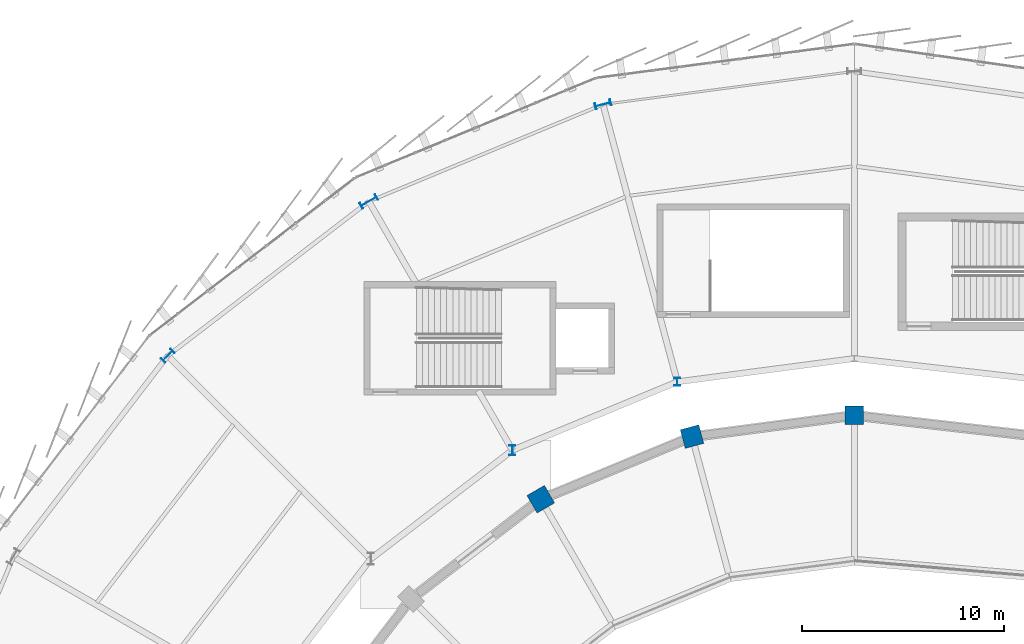
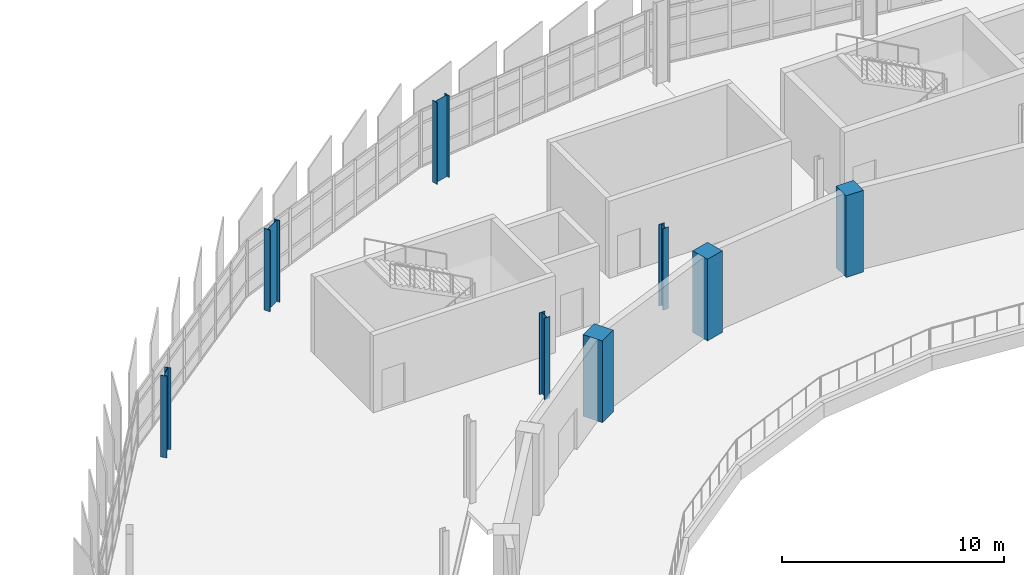
# One storey, part 9 of 87: 8 columns.
"""IFC4 building model written with IfcOpenShell, lengths in metres."""

from ifc_helpers import new_model, si_unit, direction, frame, origin, origin_2d, place, context, subcontext, project, spatial, rectangle, i_section, extrude, material, material_profile, profile_set, type_object, element, save


model = new_model("IFC4")

# Units and contexts
model_context = context("Model", 3, precision=1e-05, world=origin(), true_north=direction((0.0, 1.0)))
body_context = subcontext(model_context, "Body", "Model", "MODEL_VIEW")
ifc_project = project(units=[si_unit("LENGTHUNIT", "METRE"), si_unit("AREAUNIT", "SQUARE_METRE"), si_unit("VOLUMEUNIT", "CUBIC_METRE"), si_unit("PLANEANGLEUNIT", "RADIAN"), si_unit("MASSUNIT", "GRAM", prefix="KILO")], contexts=[model_context])

# Site, building, storey
site_placement = place(None, origin())
site = spatial("IfcSite", under=ifc_project, at=site_placement, CompositionType="ELEMENT")
building_placement = place(site_placement, origin())
building = spatial("IfcBuilding", under=site, at=building_placement, Name="Sohan Crest Arena", CompositionType="ELEMENT")
storey_placement = place(building_placement, frame((0.0, 0.0, 18.0)))
storey = spatial("IfcBuildingStorey", under=building, at=storey_placement, Name="L04", CompositionType="ELEMENT", Elevation=18.0)

# Columns
ifc_material_1 = material(Name="Concrete C40/50", Category="concrete")
ifc_material_profile_1 = material_profile(ifc_material_1, rectangle(XDim=0.89990234375, YDim=0.89990234375, at=origin_2d()), Name="RC 900x900")
ifc_profile_set_1 = profile_set([ifc_material_profile_1], Name="Concrete C40/50")
column_type_1 = type_object("IfcColumnType", Name="STR-COL-C07", PredefinedType="COLUMN", material=ifc_profile_set_1)
column_1_placement = place(storey_placement, frame((98.0, 109.0, 0.0), z_axis=(0.0, 0.0, 1.0), x_axis=(0.0, 1.0, 0.0)))
element("IfcColumn", 1, at=column_1_placement, inside=storey, type_object=column_type_1, Name="Structural column COL-V1R-01-L04", PredefinedType="COLUMN", context=body_context, shape_type="SweptSolid", body=[
    extrude(rectangle(XDim=0.89990234375, YDim=0.89990234375, at=origin_2d()), origin(), (0.0, 0.0, 1.0), 4.5),
])
ifc_material_profile_2 = material_profile(ifc_material_1, rectangle(XDim=0.949951171875, YDim=0.949951171875, at=origin_2d()), Name="RC 950x950")
ifc_profile_set_2 = profile_set([ifc_material_profile_2], Name="Concrete C40/50")
column_type_2 = type_object("IfcColumnType", Name="STR-COL-C08", PredefinedType="COLUMN", material=ifc_profile_set_2)
column_2_placement = place(storey_placement, frame((89.97705078125, 107.944091796875, 0.0), z_axis=(0.0, 0.0, 1.0), x_axis=(-0.258819045103, 0.965925826289, 0.0)))
element("IfcColumn", 2, at=column_2_placement, inside=storey, type_object=column_type_2, Name="Structural column COL-V1R-02-L04", PredefinedType="COLUMN", context=body_context, shape_type="SweptSolid", body=[
    extrude(rectangle(XDim=0.949951171875, YDim=0.949951171875, at=origin_2d()), origin(), (0.0, 0.0, 1.0), 4.5),
])
ifc_material_profile_3 = material_profile(ifc_material_1, rectangle(XDim=1.0, YDim=1.0, at=origin_2d()), Name="RC 1000x1000")
ifc_profile_set_3 = profile_set([ifc_material_profile_3], Name="Concrete C40/50")
column_type_3 = type_object("IfcColumnType", Name="STR-COL-C09", PredefinedType="COLUMN", material=ifc_profile_set_3)
column_3_placement = place(storey_placement, frame((82.5, 104.846923828125, 0.0), z_axis=(0.0, 0.0, 1.0), x_axis=(-0.5, 0.866025403784, 0.0)))
element("IfcColumn", 3, at=column_3_placement, inside=storey, type_object=column_type_3, Name="Structural column COL-V1R-03-L04", PredefinedType="COLUMN", context=body_context, shape_type="SweptSolid", body=[
    extrude(rectangle(XDim=1.0, YDim=1.0, at=origin_2d()), origin(), (0.0, 0.0, 1.0), 4.5),
])
ifc_material_2 = material(Name="Steel S355", Category="steel")
ifc_material_profile_4 = material_profile(ifc_material_2, i_section(OverallWidth=0.300048828125, OverallDepth=0.39990234375, WebThickness=0.013427734375, FlangeThickness=0.02392578125, at=origin_2d()), Name="HEB 400")
ifc_profile_set_4 = profile_set([ifc_material_profile_4], Name="Steel S355")
column_type_4 = type_object("IfcColumnType", Name="STR-COL-C18", PredefinedType="COLUMN", material=ifc_profile_set_4)
column_4_placement = place(storey_placement, frame((89.251953125, 110.64794921875, 0.0), z_axis=(0.0, 0.0, 1.0), x_axis=(1.0, 0.0, 0.0)))
element("IfcColumn", 4, at=column_4_placement, inside=storey, type_object=column_type_4, Name="Structural column COL-V2I-02-L04", PredefinedType="COLUMN", context=body_context, shape_type="SweptSolid", body=[
    extrude(i_section(OverallWidth=0.300048828125, OverallDepth=0.39990234375, WebThickness=0.013427734375, FlangeThickness=0.02392578125, at=origin_2d()), origin(), (0.0, 0.0, 1.0), 4.5),
])
ifc_material_profile_5 = material_profile(ifc_material_2, i_section(OverallWidth=0.300048828125, OverallDepth=0.5, WebThickness=0.014404296875, FlangeThickness=0.028076171875, at=origin_2d()), Name="HEB 500")
ifc_profile_set_5 = profile_set([ifc_material_profile_5], Name="Steel S355")
column_type_5 = type_object("IfcColumnType", Name="STR-COL-C19", PredefinedType="COLUMN", material=ifc_profile_set_5)
column_5_placement = place(storey_placement, frame((81.10009765625, 107.27197265625, 0.0), z_axis=(0.0, 0.0, 1.0), x_axis=(1.0, 0.0, 0.0)))
element("IfcColumn", 5, at=column_5_placement, inside=storey, type_object=column_type_5, Name="Structural column COL-V2I-03-L04", PredefinedType="COLUMN", context=body_context, shape_type="SweptSolid", body=[
    extrude(i_section(OverallWidth=0.300048828125, OverallDepth=0.5, WebThickness=0.014404296875, FlangeThickness=0.028076171875, at=origin_2d()), origin(), (0.0, 0.0, 1.0), 4.5),
])
ifc_material_profile_6 = material_profile(ifc_material_2, i_section(OverallWidth=0.300048828125, OverallDepth=0.699951171875, WebThickness=0.01708984375, FlangeThickness=0.031982421875, at=origin_2d()), Name="HEB 700")
ifc_profile_set_6 = profile_set([ifc_material_profile_6], Name="Steel S355")
column_type_6 = type_object("IfcColumnType", Name="STR-COL-C21", PredefinedType="COLUMN", material=ifc_profile_set_6)
column_6_placement = place(storey_placement, frame((64.05908203125, 111.94091796875, 0.0), z_axis=(0.0, 0.0, 1.0), x_axis=(-0.707106781187, 0.707106781187, 0.0)))
element("IfcColumn", 6, at=column_6_placement, inside=storey, type_object=column_type_6, Name="Structural column COL-V2O-04-L04", PredefinedType="COLUMN", context=body_context, shape_type="SweptSolid", body=[
    extrude(i_section(OverallWidth=0.300048828125, OverallDepth=0.699951171875, WebThickness=0.01708984375, FlangeThickness=0.031982421875, at=origin_2d()), origin(), (0.0, 0.0, 1.0), 4.5),
])
ifc_material_profile_7 = material_profile(ifc_material_2, i_section(OverallWidth=0.300048828125, OverallDepth=0.800048828125, WebThickness=0.017578125, FlangeThickness=0.032958984375, at=origin_2d()), Name="HEB 800")
ifc_profile_set_7 = profile_set([ifc_material_profile_7], Name="Steel S355")
column_type_7 = type_object("IfcColumnType", Name="STR-COL-C22", PredefinedType="COLUMN", material=ifc_profile_set_7)
column_7_placement = place(storey_placement, frame((85.576904296875, 124.364013671875, 0.0), z_axis=(0.0, 0.0, 1.0), x_axis=(-0.258819045103, 0.965925826289, 0.0)))
element("IfcColumn", 7, at=column_7_placement, inside=storey, type_object=column_type_7, Name="Structural column COL-V2O-02-L04", PredefinedType="COLUMN", context=body_context, shape_type="SweptSolid", body=[
    extrude(i_section(OverallWidth=0.300048828125, OverallDepth=0.800048828125, WebThickness=0.017578125, FlangeThickness=0.032958984375, at=origin_2d()), origin(), (0.0, 0.0, 1.0), 4.5),
])
ifc_material_profile_8 = material_profile(ifc_material_2, i_section(OverallWidth=0.300048828125, OverallDepth=0.89990234375, WebThickness=0.0185546875, FlangeThickness=0.034912109375, at=origin_2d()), Name="HEB 900")
ifc_profile_set_8 = profile_set([ifc_material_profile_8], Name="Steel S355")
column_type_8 = type_object("IfcColumnType", Name="STR-COL-C23", PredefinedType="COLUMN", material=ifc_profile_set_8)
column_8_placement = place(storey_placement, frame((74.0, 119.569091796875, 0.0), z_axis=(0.0, 0.0, 1.0), x_axis=(-0.5, 0.866025403784, 0.0)))
element("IfcColumn", 8, at=column_8_placement, inside=storey, type_object=column_type_8, Name="Structural column COL-V2O-03-L04", PredefinedType="COLUMN", context=body_context, shape_type="SweptSolid", body=[
    extrude(i_section(OverallWidth=0.300048828125, OverallDepth=0.89990234375, WebThickness=0.0185546875, FlangeThickness=0.034912109375, at=origin_2d()), origin(), (0.0, 0.0, 1.0), 4.5),
])

save(model, "model.ifc")
